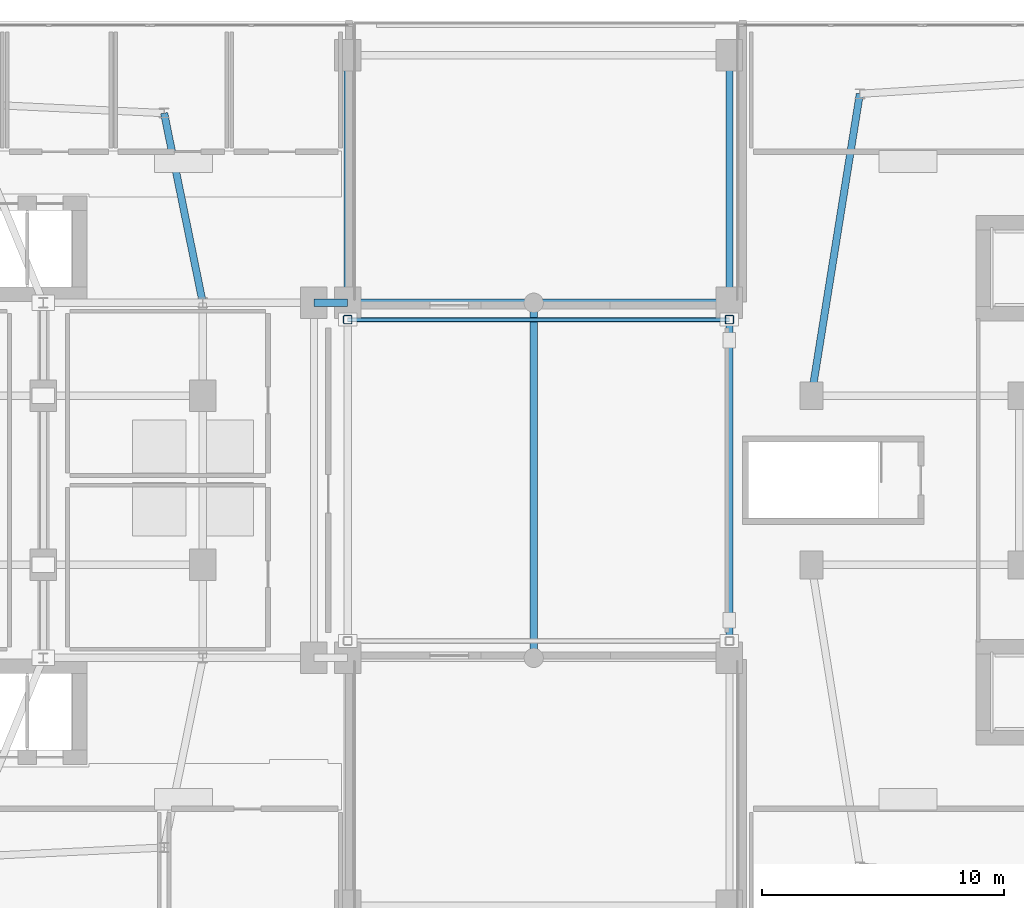
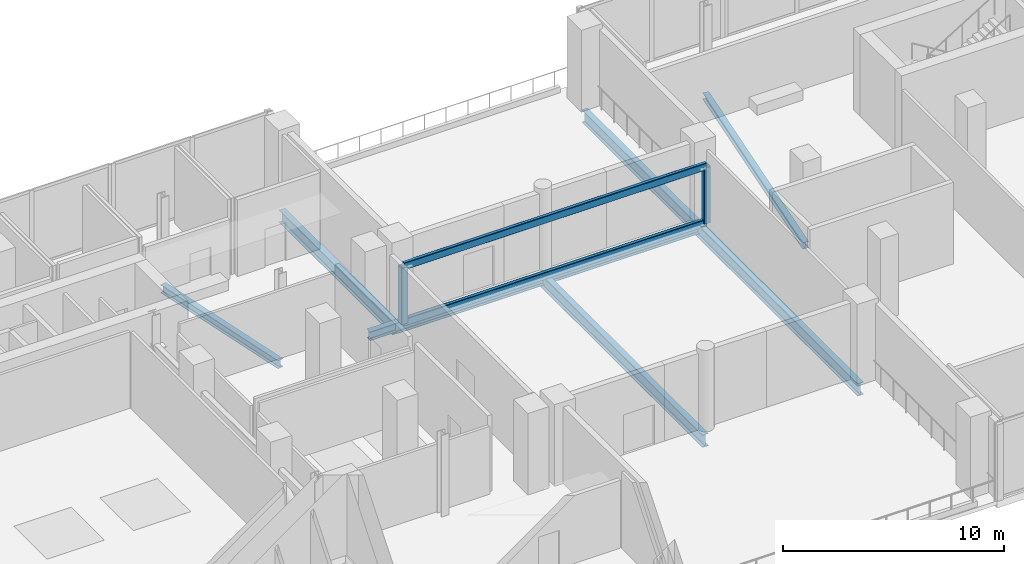
# One storey, part 7 of 21: 9 beams, 4 members.
"""IFC4 building model written with IfcOpenShell, lengths in metres."""

from ifc_helpers import new_model, si_unit, derived_unit, direction, frame, origin, origin_2d, place, context, subcontext, project, spatial, hollow_rectangle, i_section, extrude, material, material_profile, profile_set, type_object, element, save


model = new_model("IFC4")

# Units and contexts
model_context = context("Model", 3, precision=1e-05, world=origin(), true_north=direction((0.0, 1.0)))
body_context = subcontext(model_context, "Body", "Model", "MODEL_VIEW")
ifc_project = project(units=[si_unit("LENGTHUNIT", "METRE"), si_unit("AREAUNIT", "SQUARE_METRE"), si_unit("VOLUMEUNIT", "CUBIC_METRE"), si_unit("PLANEANGLEUNIT", "RADIAN"), si_unit("MASSUNIT", "GRAM", prefix="KILO"), derived_unit("THERMALTRANSMITTANCEUNIT", [(si_unit("POWERUNIT", "WATT"), 1), (si_unit("LENGTHUNIT", "METRE"), -2), (si_unit("THERMODYNAMICTEMPERATUREUNIT", "KELVIN"), -1)])], contexts=[model_context])

# Site, building, storey
site_placement = place(None, origin())
site = spatial("IfcSite", under=ifc_project, at=site_placement, CompositionType="ELEMENT")
building_placement = place(site_placement, origin())
building = spatial("IfcBuilding", under=site, at=building_placement, Name="Kivonza Crest Hotel", CompositionType="ELEMENT")
storey_placement = place(building_placement, frame((0.0, 0.0, 19.5)))
storey = spatial("IfcBuildingStorey", under=building, at=storey_placement, Name="L04", CompositionType="ELEMENT", Elevation=19.5)

# Beams
ifc_material = material(Name="Steel S355", Category="steel")
ifc_material_profile_1 = material_profile(ifc_material, i_section(OverallWidth=0.300048828125, OverallDepth=0.360107421875, WebThickness=0.012451171875, FlangeThickness=0.0224609375, FilletRadius=0.027099609375, at=origin_2d()), Name="HEB 360")
ifc_profile_set_1 = profile_set([ifc_material_profile_1], Name="Steel S355")
beam_type_1 = type_object("IfcBeamType", Name="BM-HEB360", PredefinedType="SPANDREL", material=ifc_profile_set_1)
beam_1_placement = place(storey_placement, frame((63.0, 41.0, -0.580078125), z_axis=(-0.157990501107, -0.987440631917, 0.0), x_axis=(0.987440631917, -0.157990501107, 0.0)))
element("IfcBeam", 1, at=beam_1_placement, inside=storey, type_object=beam_type_1, Name="Companion Tower T2 L04 perimeter spandrel NW-W2", PredefinedType="SPANDREL", context=body_context, shape_type="SweptSolid", body=[
    extrude(i_section(OverallWidth=0.300048828125, OverallDepth=0.360107421875, WebThickness=0.012451171875, FlangeThickness=0.0224609375, FilletRadius=0.027099609375, at=origin_2d()), origin(), (0.0, 0.0, 1.0), 12.658935546875),
])
ifc_material_profile_2 = material_profile(ifc_material, i_section(OverallWidth=0.300048828125, OverallDepth=0.449951171875, WebThickness=0.013916015625, FlangeThickness=0.02587890625, FilletRadius=0.027099609375, at=origin_2d()), Name="HEB 450")
ifc_profile_set_2 = profile_set([ifc_material_profile_2], Name="Steel S355")
beam_type_2 = type_object("IfcBeamType", Name="BM-HEB450", PredefinedType="SPANDREL", material=ifc_profile_set_2)
beam_2_placement = place(storey_placement, frame((35.800048828125, 32.35009765625, -0.625), z_axis=(-0.199730733965, 0.979850822273, 0.0), x_axis=(-0.979850822273, -0.199730733965, 0.0)))
element("IfcBeam", 2, at=beam_2_placement, inside=storey, type_object=beam_type_2, Name="Tower T1 L04 perimeter spandrel PNE-NE", PredefinedType="SPANDREL", context=body_context, shape_type="SweptSolid", body=[
    extrude(i_section(OverallWidth=0.300048828125, OverallDepth=0.449951171875, WebThickness=0.013916015625, FlangeThickness=0.02587890625, FilletRadius=0.027099609375, at=origin_2d()), origin(), (0.0, 0.0, 1.0), 8.01123046875),
])
ifc_material_profile_3 = material_profile(ifc_material, i_section(OverallWidth=0.300048828125, OverallDepth=0.5, WebThickness=0.014404296875, FlangeThickness=0.028076171875, FilletRadius=0.027099609375, at=origin_2d()), Name="HEB 500")
ifc_profile_set_3 = profile_set([ifc_material_profile_3], Name="Steel S355")
beam_type_3 = type_object("IfcBeamType", Name="BM-HEB500", PredefinedType="BEAM", material=ifc_profile_set_3)
beam_3_placement = place(storey_placement, frame((40.39990234375, 32.35009765625, -0.64990234375), z_axis=(1.0, 0.0, 0.0), x_axis=(0.0, 1.0, 0.0)))
element("IfcBeam", 3, at=beam_3_placement, inside=storey, type_object=beam_type_3, Name="L04 podium girder X 25", PredefinedType="BEAM", context=body_context, shape_type="SweptSolid", body=[
    extrude(i_section(OverallWidth=0.300048828125, OverallDepth=0.5, WebThickness=0.014404296875, FlangeThickness=0.028076171875, FilletRadius=0.027099609375, at=origin_2d()), origin(), (0.0, 0.0, 1.0), 1.400146484375),
])
ifc_material_profile_4 = material_profile(ifc_material, i_section(OverallWidth=0.300048828125, OverallDepth=0.60009765625, WebThickness=0.015380859375, FlangeThickness=0.030029296875, FilletRadius=0.027099609375, at=origin_2d()), Name="HEB 600")
ifc_profile_set_4 = profile_set([ifc_material_profile_4], Name="Steel S355")
beam_type_4 = type_object("IfcBeamType", Name="BM-HEB600", PredefinedType="BEAM", material=ifc_profile_set_4)
beam_4_placement = place(storey_placement, frame((41.800048828125, 32.35009765625, -0.699951171875), z_axis=(1.0, 0.0, 0.0), x_axis=(0.0, 1.0, 0.0)))
element("IfcBeam", 4, at=beam_4_placement, inside=storey, type_object=beam_type_4, Name="L04 podium girder X 26", PredefinedType="BEAM", context=body_context, shape_type="SweptSolid", body=[
    extrude(i_section(OverallWidth=0.300048828125, OverallDepth=0.60009765625, WebThickness=0.015380859375, FlangeThickness=0.030029296875, FilletRadius=0.027099609375, at=origin_2d()), origin(), (0.0, 0.0, 1.0), 7.699951171875),
])
beam_5_placement = place(storey_placement, frame((49.5, 32.35009765625, -0.699951171875), z_axis=(1.0, 0.0, 0.0), x_axis=(0.0, 1.0, 0.0)))
element("IfcBeam", 5, at=beam_5_placement, inside=storey, type_object=beam_type_4, Name="L04 podium girder X 27", PredefinedType="BEAM", context=body_context, shape_type="SweptSolid", body=[
    extrude(i_section(OverallWidth=0.300048828125, OverallDepth=0.60009765625, WebThickness=0.015380859375, FlangeThickness=0.030029296875, FilletRadius=0.027099609375, at=origin_2d()), origin(), (0.0, 0.0, 1.0), 8.10009765625),
])
ifc_material_profile_5 = material_profile(ifc_material, i_section(OverallWidth=0.300048828125, OverallDepth=0.699951171875, WebThickness=0.01708984375, FlangeThickness=0.031982421875, FilletRadius=0.027099609375, at=origin_2d()), Name="HEB 700")
ifc_profile_set_5 = profile_set([ifc_material_profile_5], Name="Steel S355")
beam_type_5 = type_object("IfcBeamType", Name="BM-HEB700", PredefinedType="BEAM", material=ifc_profile_set_5)
beam_6_placement = place(storey_placement, frame((41.800048828125, 32.35009765625, -0.75), z_axis=(0.0, 1.0, 0.0), x_axis=(-1.0, 0.0, 0.0)))
element("IfcBeam", 6, at=beam_6_placement, inside=storey, type_object=beam_type_5, Name="L04 podium girder Y 45", PredefinedType="BEAM", context=body_context, shape_type="SweptSolid", body=[
    extrude(i_section(OverallWidth=0.300048828125, OverallDepth=0.699951171875, WebThickness=0.01708984375, FlangeThickness=0.031982421875, FilletRadius=0.027099609375, at=origin_2d()), origin(), (0.0, 0.0, 1.0), 10.25),
])
for number, where, z_axis, x_axis, name in (
    (7, (49.5, 17.64990234375, -0.75), (0.0, 1.0, 0.0), (-1.0, 0.0, 0.0), "L04 podium girder Y 46"),
    (8, (57.60009765625, 17.64990234375, -0.75), (0.0, 1.0, 0.0), (-1.0, 0.0, 0.0), "L04 podium girder Y 48"),
):
    element("IfcBeam", number, at=place(storey_placement, frame(where, z_axis=z_axis, x_axis=x_axis)), inside=storey, type_object=beam_type_5, Name=name, PredefinedType="BEAM", context=body_context, shape_type="SweptSolid", body=[
        extrude(i_section(OverallWidth=0.300048828125, OverallDepth=0.699951171875, WebThickness=0.01708984375, FlangeThickness=0.031982421875, FilletRadius=0.027099609375, at=origin_2d()), origin(), (0.0, 0.0, 1.0), 14.7001953125),
    ])
beam_7_placement = place(storey_placement, frame((57.60009765625, 32.35009765625, -0.75), z_axis=(0.0, 1.0, 0.0), x_axis=(-1.0, 0.0, 0.0)))
element("IfcBeam", 9, at=beam_7_placement, inside=storey, type_object=beam_type_5, Name="L04 podium girder Y 49", PredefinedType="BEAM", context=body_context, shape_type="SweptSolid", body=[
    extrude(i_section(OverallWidth=0.300048828125, OverallDepth=0.699951171875, WebThickness=0.01708984375, FlangeThickness=0.031982421875, FilletRadius=0.027099609375, at=origin_2d()), origin(), (0.0, 0.0, 1.0), 10.25),
])

# Members
ifc_material_profile_6 = material_profile(ifc_material, hollow_rectangle(XDim=0.199951171875, YDim=0.39990234375, WallThickness=0.01611328125, InnerFilletRadius=0.02392578125, OuterFilletRadius=0.0400390625, at=origin_2d()), Name="RHS 400x200x16")
ifc_profile_set_6 = profile_set([ifc_material_profile_6], Name="Steel S355")
member_type_1 = type_object("IfcMemberType", Name="MB-CHORD-RHS400", PredefinedType="CHORD", material=ifc_profile_set_6)
for number, where, z_axis, x_axis, name in (
    (10, (41.800048828125, 31.64990234375, 0.0), (1.0, 0.0, 0.0), (0.0, 1.0, 0.0), "Skybridge link truss BR-POD-L04-N bottom chord 1"),
    (11, (41.800048828125, 31.64990234375, 3.10009765625), (1.0, 0.0, 0.0), (0.0, 1.0, 0.0), "Skybridge link truss BR-POD-L04-N top chord 1"),
):
    element("IfcMember", number, at=place(storey_placement, frame(where, z_axis=z_axis, x_axis=x_axis)), inside=storey, type_object=member_type_1, Name=name, PredefinedType="CHORD", context=body_context, shape_type="SweptSolid", body=[
        extrude(hollow_rectangle(XDim=0.199951171875, YDim=0.39990234375, WallThickness=0.01611328125, InnerFilletRadius=0.02392578125, OuterFilletRadius=0.0400390625, at=origin_2d()), origin(), (0.0, 0.0, 1.0), 15.800048828125),
    ])
ifc_material_profile_7 = material_profile(ifc_material, hollow_rectangle(XDim=0.35009765625, YDim=0.35009765625, WallThickness=0.01611328125, InnerFilletRadius=0.02392578125, OuterFilletRadius=0.0400390625, at=origin_2d()), Name="SHS 350x350x16")
ifc_profile_set_7 = profile_set([ifc_material_profile_7], Name="Steel S355")
member_type_2 = type_object("IfcMemberType", Name="MB-POST-SHS350", PredefinedType="POST", material=ifc_profile_set_7)
for number, where, z_axis, x_axis, name in (
    (12, (41.800048828125, 31.64990234375, 0.0), (0.0, 0.0, 1.0), (1.0, 0.0, 0.0), "Skybridge link truss BR-POD-L04-N vertical post 1"),
    (13, (57.60009765625, 31.64990234375, 0.0), (0.0, 0.0, 1.0), (1.0, 0.0, 0.0), "Skybridge link truss BR-POD-L04-N vertical post 2"),
):
    element("IfcMember", number, at=place(storey_placement, frame(where, z_axis=z_axis, x_axis=x_axis)), inside=storey, type_object=member_type_2, Name=name, PredefinedType="POST", context=body_context, shape_type="SweptSolid", body=[
        extrude(hollow_rectangle(XDim=0.35009765625, YDim=0.35009765625, WallThickness=0.01611328125, InnerFilletRadius=0.02392578125, OuterFilletRadius=0.0400390625, at=origin_2d()), origin(), (0.0, 0.0, 1.0), 3.10009765625),
    ])

save(model, "model.ifc")
